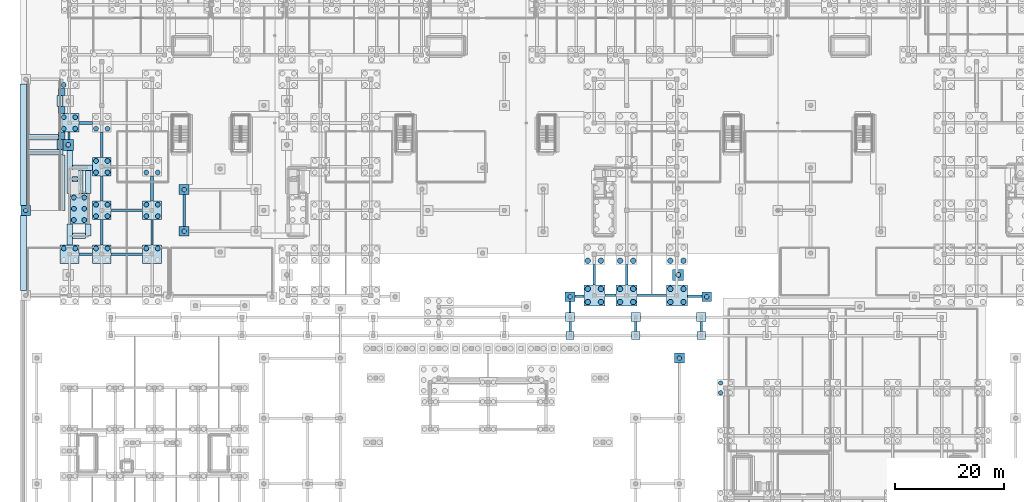
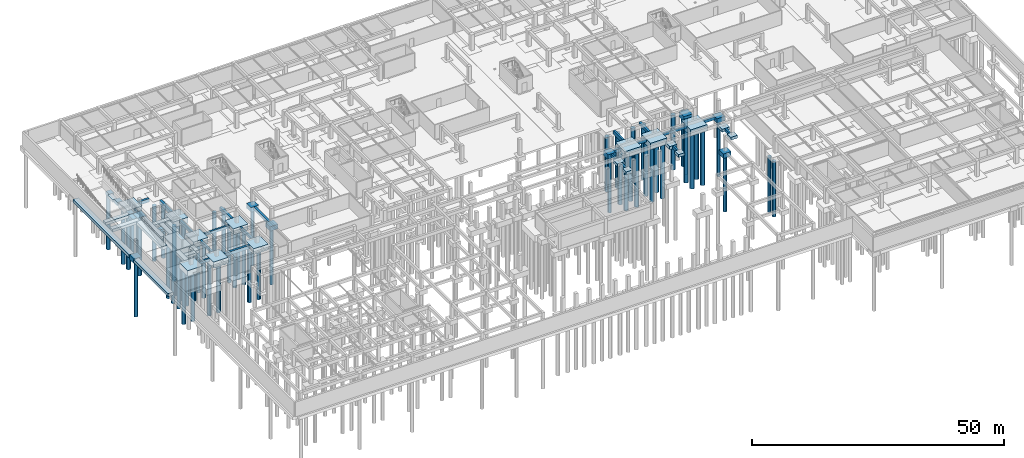
# One storey, part 4 of 35: 64 footings, 61 piles.
"""IFC4 building model written with IfcOpenShell, lengths in metres."""

from ifc_helpers import new_model, si_unit, direction, frame, origin, origin_2d, place, context, subcontext, project, spatial, rectangle, circle, extrude, material, material_profile, profile_set, type_object, element, save


model = new_model("IFC4")

# Units and contexts
model_context = context("Model", 3, precision=1e-05, world=origin(), true_north=direction((0.0, 1.0)))
body_context = subcontext(model_context, "Body", "Model", "MODEL_VIEW")
ifc_project = project(units=[si_unit("LENGTHUNIT", "METRE"), si_unit("AREAUNIT", "SQUARE_METRE"), si_unit("VOLUMEUNIT", "CUBIC_METRE"), si_unit("PLANEANGLEUNIT", "RADIAN"), si_unit("MASSUNIT", "GRAM", prefix="KILO")], contexts=[model_context])

# Site, building, storey
site_placement = place(None, origin())
site = spatial("IfcSite", under=ifc_project, at=site_placement, CompositionType="ELEMENT")
building_placement = place(site_placement, origin())
building = spatial("IfcBuilding", under=site, at=building_placement, Name="Keldmere Railside Commons", CompositionType="ELEMENT")
storey_placement = place(building_placement, frame((0.0, 0.0, -3.840087890625)))
storey = spatial("IfcBuildingStorey", under=building, at=storey_placement, Name="B1", CompositionType="ELEMENT", Elevation=-3.840087890625)

# Piles
ifc_material_1 = material(Name="Concrete H-30 (C30/37)", Category="concrete")
ifc_material_profile_1 = material_profile(ifc_material_1, circle(Radius=0.5, at=origin_2d()), Name="PILE-D1000")
ifc_profile_set_1 = profile_set([ifc_material_profile_1], Name="Concrete H-30 (C30/37)")
pile_type_1 = type_object("IfcPileType", Name="Bored Concrete Pile D1000", PredefinedType="BORED", material=ifc_profile_set_1)
for number, where, z_axis, x_axis, name in (
    (1, (103.25, 55.25, -1.39990234375), (0.0, 0.0, -1.0), (1.0, 0.0, 0.0), "BP-1000 PILE-0477"),
    (2, (105.64990234375, 55.25, -1.39990234375), (0.0, 0.0, -1.0), (1.0, 0.0, 0.0), "BP-1000 PILE-0478"),
    (3, (105.64990234375, 57.64990234375, -1.39990234375), (0.0, 0.0, -1.0), (1.0, 0.0, 0.0), "BP-1000 PILE-0479"),
    (4, (103.25, 57.64990234375, -1.39990234375), (0.0, 0.0, -1.0), (1.0, 0.0, 0.0), "BP-1000 PILE-0480"),
    (5, (103.25, 62.800048828125, -1.39990234375), (0.0, 0.0, -1.0), (1.0, 0.0, 0.0), "BP-1000 PILE-0481"),
    (6, (105.64990234375, 62.800048828125, -1.39990234375), (0.0, 0.0, -1.0), (1.0, 0.0, 0.0), "BP-1000 PILE-0482"),
    (7, (109.14990234375, 55.25, -1.39990234375), (0.0, 0.0, -1.0), (1.0, 0.0, 0.0), "BP-1000 PILE-0513"),
    (8, (111.550048828125, 55.25, -1.39990234375), (0.0, 0.0, -1.0), (1.0, 0.0, 0.0), "BP-1000 PILE-0514"),
    (9, (111.550048828125, 57.64990234375, -1.39990234375), (0.0, 0.0, -1.0), (1.0, 0.0, 0.0), "BP-1000 PILE-0515"),
    (10, (109.14990234375, 57.64990234375, -1.39990234375), (0.0, 0.0, -1.0), (1.0, 0.0, 0.0), "BP-1000 PILE-0516"),
    (11, (109.14990234375, 62.800048828125, -1.39990234375), (0.0, 0.0, -1.0), (1.0, 0.0, 0.0), "BP-1000 PILE-0517"),
    (12, (111.550048828125, 62.800048828125, -1.39990234375), (0.0, 0.0, -1.0), (1.0, 0.0, 0.0), "BP-1000 PILE-0518"),
    (13, (118.35009765625, 55.25, -1.39990234375), (0.0, 0.0, -1.0), (1.0, 0.0, 0.0), "BP-1000 PILE-0544"),
    (14, (120.75, 55.25, -1.39990234375), (0.0, 0.0, -1.0), (1.0, 0.0, 0.0), "BP-1000 PILE-0545"),
    (15, (120.75, 57.64990234375, -1.39990234375), (0.0, 0.0, -1.0), (1.0, 0.0, 0.0), "BP-1000 PILE-0546"),
    (16, (118.35009765625, 57.64990234375, -1.39990234375), (0.0, 0.0, -1.0), (1.0, 0.0, 0.0), "BP-1000 PILE-0547"),
    (17, (118.35009765625, 62.800048828125, -1.39990234375), (0.0, 0.0, -1.0), (1.0, 0.0, 0.0), "BP-1000 PILE-0548"),
    (18, (120.75, 62.800048828125, -1.39990234375), (0.0, 0.0, -1.0), (1.0, 0.0, 0.0), "BP-1000 PILE-0549"),
):
    element("IfcPile", number, at=place(storey_placement, frame(where, z_axis=z_axis, x_axis=x_axis)), inside=storey, type_object=pile_type_1, Name=name, PredefinedType="BORED", context=body_context, shape_type="SweptSolid", body=[
        extrude(circle(Radius=0.5, at=origin_2d()), origin(), (0.0, 0.0, 1.0), 13.260009765625),
    ])
ifc_material_profile_2 = material_profile(ifc_material_1, circle(Radius=0.39990234375, at=origin_2d()), Name="PILE-D800")
ifc_profile_set_2 = profile_set([ifc_material_profile_2], Name="Concrete H-30 (C30/37)")
pile_type_2 = type_object("IfcPileType", Name="Bored Concrete Pile D800", PredefinedType="BORED", material=ifc_profile_set_2)
for number, where, z_axis, x_axis, name in (
    (19, (0.449951171875, 72.0, -1.0), (0.0, 0.0, -1.0), (1.0, 0.0, 0.0), "BP-800 PILE-0030"),
    (20, (29.41796875, 68.199951171875, -1.0), (0.0, 0.0, -1.0), (1.0, 0.0, 0.0), "BP-800 PILE-0170"),
    (21, (29.41796875, 75.800048828125, -1.0), (0.0, 0.0, -1.0), (1.0, 0.0, 0.0), "BP-800 PILE-0171"),
    (22, (100.0, 56.199951171875, -1.0), (0.0, 0.0, -1.0), (1.0, 0.0, 0.0), "BP-800 PILE-0462"),
    (23, (120.0, 45.0, -1.0), (0.0, 0.0, -1.0), (1.0, 0.0, 0.0), "BP-800 PILE-0576"),
    (24, (125.0, 56.199951171875, -1.0), (0.0, 0.0, -1.0), (1.0, 0.0, 0.0), "BP-800 PILE-0589"),
):
    element("IfcPile", number, at=place(storey_placement, frame(where, z_axis=z_axis, x_axis=x_axis)), inside=storey, type_object=pile_type_2, Name=name, PredefinedType="BORED", context=body_context, shape_type="SweptSolid", body=[
        extrude(circle(Radius=0.39990234375, at=origin_2d()), origin(), (0.0, 0.0, 1.0), 13.659912109375),
    ])
for number, where, z_axis, x_axis, name in (
    (25, (127.550048828125, 38.64990234375, -1.199951171875), (0.0, 0.0, -1.0), (1.0, 0.0, 0.0), "BP-800 PILE-0603"),
    (26, (127.550048828125, 40.449951171875, -1.199951171875), (0.0, 0.0, -1.0), (1.0, 0.0, 0.0), "BP-800 PILE-0606"),
):
    element("IfcPile", number, at=place(storey_placement, frame(where, z_axis=z_axis, x_axis=x_axis)), inside=storey, type_object=pile_type_2, Name=name, PredefinedType="BORED", context=body_context, shape_type="SweptSolid", body=[
        extrude(circle(Radius=0.39990234375, at=origin_2d()), origin(), (0.0, 0.0, 1.0), 13.4599609375),
    ])
ifc_material_profile_3 = material_profile(ifc_material_1, circle(Radius=0.449951171875, at=origin_2d()), Name="PILE-D900")
ifc_profile_set_3 = profile_set([ifc_material_profile_3], Name="Concrete H-30 (C30/37)")
pile_type_3 = type_object("IfcPileType", Name="Bored Concrete Pile D900", PredefinedType="BORED", material=ifc_profile_set_3)
for number, where, z_axis, x_axis, name in (
    (27, (11.14990234375, 70.25, -1.39990234375), (0.0, 0.0, -1.0), (1.0, 0.0, 0.0), "BP-900 PILE-0001"),
    (28, (11.14990234375, 72.300048828125, -1.39990234375), (0.0, 0.0, -1.0), (1.0, 0.0, 0.0), "BP-900 PILE-0002"),
    (29, (11.14990234375, 74.35009765625, -1.39990234375), (0.0, 0.0, -1.0), (1.0, 0.0, 0.0), "BP-900 PILE-0003"),
    (30, (9.25, 70.25, -1.39990234375), (0.0, 0.0, -1.0), (1.0, 0.0, 0.0), "BP-900 PILE-0004"),
    (31, (9.25, 72.300048828125, -1.39990234375), (0.0, 0.0, -1.0), (1.0, 0.0, 0.0), "BP-900 PILE-0005"),
    (32, (9.25, 74.35009765625, -1.39990234375), (0.0, 0.0, -1.0), (1.0, 0.0, 0.0), "BP-900 PILE-0006"),
):
    element("IfcPile", number, at=place(storey_placement, frame(where, z_axis=z_axis, x_axis=x_axis)), inside=storey, type_object=pile_type_3, Name=name, PredefinedType="BORED", context=body_context, shape_type="SweptSolid", body=[
        extrude(circle(Radius=0.449951171875, at=origin_2d()), origin(), (0.0, 0.0, 1.0), 13.260009765625),
    ])
pile_1_placement = place(storey_placement, frame((8.219970703125, 84.0, -1.099853515625), z_axis=(0.0, 0.0, -1.0), x_axis=(1.0, 0.0, 0.0)))
element("IfcPile", 33, at=pile_1_placement, inside=storey, type_object=pile_type_3, Name="BP-900 PILE-0038", PredefinedType="BORED", context=body_context, shape_type="SweptSolid", body=[
    extrude(circle(Radius=0.449951171875, at=origin_2d()), origin(), (0.0, 0.0, 1.0), 13.56005859375),
])
for number, where, z_axis, x_axis, name in (
    (34, (9.5, 65.050048828125, -1.2998046875), (0.0, 0.0, -1.0), (1.0, 0.0, 0.0), "BP-900 PILE-0056"),
    (35, (7.39990234375, 65.050048828125, -1.2998046875), (0.0, 0.0, -1.0), (1.0, 0.0, 0.0), "BP-900 PILE-0057"),
    (36, (7.39990234375, 86.949951171875, -1.2998046875), (0.0, 0.0, -1.0), (1.0, 0.0, 0.0), "BP-900 PILE-0058"),
    (37, (9.5, 86.949951171875, -1.2998046875), (0.0, 0.0, -1.0), (1.0, 0.0, 0.0), "BP-900 PILE-0059"),
    (38, (9.5, 89.050048828125, -1.2998046875), (0.0, 0.0, -1.0), (1.0, 0.0, 0.0), "BP-900 PILE-0060"),
    (39, (7.39990234375, 89.050048828125, -1.2998046875), (0.0, 0.0, -1.0), (1.0, 0.0, 0.0), "BP-900 PILE-0061"),
    (40, (7.39990234375, 94.949951171875, -1.2998046875), (0.0, 0.0, -1.0), (1.0, 0.0, 0.0), "BP-900 PILE-0062"),
    (41, (15.39990234375, 65.050048828125, -1.2998046875), (0.0, 0.0, -1.0), (1.0, 0.0, 0.0), "BP-900 PILE-0084"),
    (42, (13.300048828125, 65.050048828125, -1.2998046875), (0.0, 0.0, -1.0), (1.0, 0.0, 0.0), "BP-900 PILE-0085"),
    (43, (13.300048828125, 70.949951171875, -1.2998046875), (0.0, 0.0, -1.0), (1.0, 0.0, 0.0), "BP-900 PILE-0086"),
    (44, (15.39990234375, 70.949951171875, -1.2998046875), (0.0, 0.0, -1.0), (1.0, 0.0, 0.0), "BP-900 PILE-0087"),
    (45, (15.39990234375, 73.050048828125, -1.2998046875), (0.0, 0.0, -1.0), (1.0, 0.0, 0.0), "BP-900 PILE-0088"),
    (46, (13.300048828125, 73.050048828125, -1.2998046875), (0.0, 0.0, -1.0), (1.0, 0.0, 0.0), "BP-900 PILE-0089"),
    (47, (13.300048828125, 78.949951171875, -1.2998046875), (0.0, 0.0, -1.0), (1.0, 0.0, 0.0), "BP-900 PILE-0090"),
    (48, (15.39990234375, 78.949951171875, -1.2998046875), (0.0, 0.0, -1.0), (1.0, 0.0, 0.0), "BP-900 PILE-0091"),
    (49, (15.39990234375, 81.050048828125, -1.2998046875), (0.0, 0.0, -1.0), (1.0, 0.0, 0.0), "BP-900 PILE-0092"),
    (50, (13.300048828125, 81.050048828125, -1.2998046875), (0.0, 0.0, -1.0), (1.0, 0.0, 0.0), "BP-900 PILE-0093"),
    (51, (13.300048828125, 86.949951171875, -1.2998046875), (0.0, 0.0, -1.0), (1.0, 0.0, 0.0), "BP-900 PILE-0094"),
    (52, (15.39990234375, 86.949951171875, -1.2998046875), (0.0, 0.0, -1.0), (1.0, 0.0, 0.0), "BP-900 PILE-0095"),
    (53, (24.60009765625, 65.050048828125, -1.2998046875), (0.0, 0.0, -1.0), (1.0, 0.0, 0.0), "BP-900 PILE-0128"),
    (54, (22.5, 65.050048828125, -1.2998046875), (0.0, 0.0, -1.0), (1.0, 0.0, 0.0), "BP-900 PILE-0129"),
    (55, (22.5, 70.949951171875, -1.2998046875), (0.0, 0.0, -1.0), (1.0, 0.0, 0.0), "BP-900 PILE-0130"),
    (56, (24.60009765625, 70.949951171875, -1.2998046875), (0.0, 0.0, -1.0), (1.0, 0.0, 0.0), "BP-900 PILE-0131"),
    (57, (24.60009765625, 73.050048828125, -1.2998046875), (0.0, 0.0, -1.0), (1.0, 0.0, 0.0), "BP-900 PILE-0132"),
    (58, (22.5, 73.050048828125, -1.2998046875), (0.0, 0.0, -1.0), (1.0, 0.0, 0.0), "BP-900 PILE-0133"),
    (59, (22.5, 78.949951171875, -1.2998046875), (0.0, 0.0, -1.0), (1.0, 0.0, 0.0), "BP-900 PILE-0134"),
    (60, (24.60009765625, 78.949951171875, -1.2998046875), (0.0, 0.0, -1.0), (1.0, 0.0, 0.0), "BP-900 PILE-0135"),
):
    element("IfcPile", number, at=place(storey_placement, frame(where, z_axis=z_axis, x_axis=x_axis)), inside=storey, type_object=pile_type_3, Name=name, PredefinedType="BORED", context=body_context, shape_type="SweptSolid", body=[
        extrude(circle(Radius=0.449951171875, at=origin_2d()), origin(), (0.0, 0.0, 1.0), 13.360107421875),
    ])
pile_2_placement = place(storey_placement, frame((119.780029296875, 60.199951171875, -1.099853515625), z_axis=(0.0, 0.0, -1.0), x_axis=(1.0, 0.0, 0.0)))
element("IfcPile", 61, at=pile_2_placement, inside=storey, type_object=pile_type_3, Name="BP-900 PILE-0568", PredefinedType="BORED", context=body_context, shape_type="SweptSolid", body=[
    extrude(circle(Radius=0.449951171875, at=origin_2d()), origin(), (0.0, 0.0, 1.0), 13.56005859375),
])

# Footings
ifc_material_2 = material(Name="Concrete H-40 (C40/50)", Category="concrete")
footing_type_1 = type_object("IfcFootingType", Name="Canopy Pad Footing 1700x1700x750", PredefinedType="PAD_FOOTING", material=ifc_material_2)
for number, where, z_axis, x_axis, name in (
    (62, (100.0, 52.5, -0.75), (0.0, 0.0, 1.0), (1.0, 0.0, 0.0), "PF-02 FTG-196"),
    (63, (112.0, 52.5, -0.75), (0.0, 0.0, 1.0), (1.0, 0.0, 0.0), "PF-02 FTG-222"),
    (64, (124.0, 52.5, -0.75), (0.0, 0.0, 1.0), (1.0, 0.0, 0.0), "PF-02 FTG-245"),
):
    element("IfcFooting", number, at=place(storey_placement, frame(where, z_axis=z_axis, x_axis=x_axis)), inside=storey, type_object=footing_type_1, Name=name, PredefinedType="PAD_FOOTING", context=body_context, shape_type="SweptSolid", body=[
        extrude(rectangle(XDim=1.699951171875, YDim=1.699951171875, at=origin_2d()), origin(), (0.0, 0.0, 1.0), 0.75),
    ])
footing_type_2 = type_object("IfcFootingType", Name="Colonnade Pad Footing 1500x1500x700", PredefinedType="PAD_FOOTING", material=ifc_material_2)
for number, where, z_axis, x_axis, name in (
    (65, (100.0, 49.10009765625, -0.69970703125), (0.0, 0.0, 1.0), (1.0, 0.0, 0.0), "PF-01 FTG-195"),
    (66, (112.0, 49.10009765625, -0.69970703125), (0.0, 0.0, 1.0), (1.0, 0.0, 0.0), "PF-01 FTG-221"),
    (67, (124.0, 49.10009765625, -0.69970703125), (0.0, 0.0, 1.0), (1.0, 0.0, 0.0), "PF-01 FTG-244"),
):
    element("IfcFooting", number, at=place(storey_placement, frame(where, z_axis=z_axis, x_axis=x_axis)), inside=storey, type_object=footing_type_2, Name=name, PredefinedType="PAD_FOOTING", context=body_context, shape_type="SweptSolid", body=[
        extrude(rectangle(XDim=1.5, YDim=1.5, at=origin_2d()), origin(), (0.0, 0.0, 1.0), 0.699951171875),
    ])
footing_type_3 = type_object("IfcFootingType", Name="Four-Pile D1000 Cap 3800x3800x1500", PredefinedType="PILE_CAP", material=ifc_material_2)
for number, where, z_axis, x_axis, name in (
    (68, (104.449951171875, 56.449951171875, -1.5), (0.0, 0.0, 1.0), (1.0, 0.0, 0.0), "PC-06 FTG-203"),
    (69, (110.35009765625, 56.449951171875, -1.5), (0.0, 0.0, 1.0), (1.0, 0.0, 0.0), "PC-06 FTG-214"),
    (70, (119.550048828125, 56.449951171875, -1.5), (0.0, 0.0, 1.0), (1.0, 0.0, 0.0), "PC-06 FTG-226"),
):
    element("IfcFooting", number, at=place(storey_placement, frame(where, z_axis=z_axis, x_axis=x_axis)), inside=storey, type_object=footing_type_3, Name=name, PredefinedType="PILE_CAP", context=body_context, shape_type="SweptSolid", body=[
        extrude(rectangle(XDim=3.800048828125, YDim=3.800048828125, at=origin_2d()), origin(), (0.0, 0.0, 1.0), 1.5),
    ])
footing_type_4 = type_object("IfcFootingType", Name="Four-Pile Heavy Cap 3400x3400x1400", PredefinedType="PILE_CAP", material=ifc_material_2)
for number, where, z_axis, x_axis, name in (
    (71, (8.449951171875, 64.0, -1.39990234375), (0.0, 0.0, 1.0), (1.0, 0.0, 0.0), "PC-05 FTG-022"),
    (72, (8.449951171875, 88.0, -1.39990234375), (0.0, 0.0, 1.0), (1.0, 0.0, 0.0), "PC-05 FTG-023"),
    (73, (14.35009765625, 64.0, -1.39990234375), (0.0, 0.0, 1.0), (1.0, 0.0, 0.0), "PC-05 FTG-029"),
    (74, (14.35009765625, 72.0, -1.39990234375), (0.0, 0.0, 1.0), (1.0, 0.0, 0.0), "PC-05 FTG-030"),
    (75, (14.35009765625, 80.0, -1.39990234375), (0.0, 0.0, 1.0), (1.0, 0.0, 0.0), "PC-05 FTG-031"),
    (76, (23.550048828125, 64.0, -1.39990234375), (0.0, 0.0, 1.0), (1.0, 0.0, 0.0), "PC-05 FTG-045"),
    (77, (23.550048828125, 72.0, -1.39990234375), (0.0, 0.0, 1.0), (1.0, 0.0, 0.0), "PC-05 FTG-046"),
):
    element("IfcFooting", number, at=place(storey_placement, frame(where, z_axis=z_axis, x_axis=x_axis)), inside=storey, type_object=footing_type_4, Name=name, PredefinedType="PILE_CAP", context=body_context, shape_type="SweptSolid", body=[
        extrude(rectangle(XDim=3.39990234375, YDim=3.39990234375, at=origin_2d()), origin(), (0.0, 0.0, 1.0), 1.39990234375),
    ])
footing_type_5 = type_object("IfcFootingType", Name="Perimeter Ground Tie Beam 400x650", PredefinedType="FOOTING_BEAM", material=ifc_material_2)
footing_1_placement = place(storey_placement, frame((8.3349609375, 85.64990234375, -0.64990234375), z_axis=(0.0, 0.0, 1.0), x_axis=(0.0, 1.0, 0.0)))
element("IfcFooting", 78, at=footing_1_placement, inside=storey, type_object=footing_type_5, Name="GB-03 GB-005", PredefinedType="FOOTING_BEAM", context=body_context, shape_type="SweptSolid", body=[
    extrude(rectangle(XDim=1.300048828125, YDim=0.39990234375, at=origin_2d()), origin(), (0.0, 0.0, 1.0), 0.64990234375),
])
footing_2_placement = place(storey_placement, frame((11.39990234375, 64.0, -0.64990234375), z_axis=(0.0, 0.0, 1.0), x_axis=(1.0, 0.0, 0.0)))
element("IfcFooting", 79, at=footing_2_placement, inside=storey, type_object=footing_type_5, Name="GB-03 GB-017", PredefinedType="FOOTING_BEAM", context=body_context, shape_type="SweptSolid", body=[
    extrude(rectangle(XDim=2.5, YDim=0.39990234375, at=origin_2d()), origin(), (0.0, 0.0, 1.0), 0.64990234375),
])
footing_3_placement = place(storey_placement, frame((14.35009765625, 68.0, -0.64990234375), z_axis=(0.0, 0.0, 1.0), x_axis=(0.0, 1.0, 0.0)))
element("IfcFooting", 80, at=footing_3_placement, inside=storey, type_object=footing_type_5, Name="GB-03 GB-026", PredefinedType="FOOTING_BEAM", context=body_context, shape_type="SweptSolid", body=[
    extrude(rectangle(XDim=4.60009765625, YDim=0.39990234375, at=origin_2d()), origin(), (0.0, 0.0, 1.0), 0.64990234375),
])
footing_4_placement = place(storey_placement, frame((18.949951171875, 72.0, -0.64990234375), z_axis=(0.0, 0.0, 1.0), x_axis=(1.0, 0.0, 0.0)))
element("IfcFooting", 81, at=footing_4_placement, inside=storey, type_object=footing_type_5, Name="GB-03 GB-029", PredefinedType="FOOTING_BEAM", context=body_context, shape_type="SweptSolid", body=[
    extrude(rectangle(XDim=5.800048828125, YDim=0.39990234375, at=origin_2d()), origin(), (0.0, 0.0, 1.0), 0.64990234375),
])
footing_5_placement = place(storey_placement, frame((23.550048828125, 68.0, -0.64990234375), z_axis=(0.0, 0.0, 1.0), x_axis=(0.0, 1.0, 0.0)))
element("IfcFooting", 82, at=footing_5_placement, inside=storey, type_object=footing_type_5, Name="GB-03 GB-047", PredefinedType="FOOTING_BEAM", context=body_context, shape_type="SweptSolid", body=[
    extrude(rectangle(XDim=4.60009765625, YDim=0.39990234375, at=origin_2d()), origin(), (0.0, 0.0, 1.0), 0.64990234375),
])
footing_6_placement = place(storey_placement, frame((100.0, 54.324951171875, -0.64990234375), z_axis=(0.0, 0.0, 1.0), x_axis=(0.0, 1.0, 0.0)))
element("IfcFooting", 83, at=footing_6_placement, inside=storey, type_object=footing_type_5, Name="GB-03 GB-158", PredefinedType="FOOTING_BEAM", context=body_context, shape_type="SweptSolid", body=[
    extrude(rectangle(XDim=1.949951171875, YDim=0.39990234375, at=origin_2d()), origin(), (0.0, 0.0, 1.0), 0.64990234375),
])
footing_7_placement = place(storey_placement, frame((114.949951171875, 56.449951171875, -0.64990234375), z_axis=(0.0, 0.0, 1.0), x_axis=(1.0, 0.0, 0.0)))
element("IfcFooting", 84, at=footing_7_placement, inside=storey, type_object=footing_type_5, Name="GB-03 GB-176", PredefinedType="FOOTING_BEAM", context=body_context, shape_type="SweptSolid", body=[
    extrude(rectangle(XDim=5.39990234375, YDim=0.39990234375, at=origin_2d()), origin(), (0.0, 0.0, 1.0), 0.64990234375),
])
footing_type_6 = type_object("IfcFootingType", Name="Primary Ground Tie Beam 500x800", PredefinedType="FOOTING_BEAM", material=ifc_material_2)
footing_8_placement = place(storey_placement, frame((11.39990234375, 88.0, -0.7998046875), z_axis=(0.0, 0.0, 1.0), x_axis=(1.0, 0.0, 0.0)))
element("IfcFooting", 85, at=footing_8_placement, inside=storey, type_object=footing_type_6, Name="GB-01 GB-018", PredefinedType="FOOTING_BEAM", context=body_context, shape_type="SweptSolid", body=[
    extrude(rectangle(XDim=2.5, YDim=0.5, at=origin_2d()), origin(), (0.0, 0.0, 1.0), 0.800048828125),
])
footing_9_placement = place(storey_placement, frame((18.949951171875, 64.0, -0.7998046875), z_axis=(0.0, 0.0, 1.0), x_axis=(1.0, 0.0, 0.0)))
element("IfcFooting", 86, at=footing_9_placement, inside=storey, type_object=footing_type_6, Name="GB-01 GB-027", PredefinedType="FOOTING_BEAM", context=body_context, shape_type="SweptSolid", body=[
    extrude(rectangle(XDim=5.800048828125, YDim=0.5, at=origin_2d()), origin(), (0.0, 0.0, 1.0), 0.800048828125),
])
for number, where, z_axis, x_axis, name in (
    (87, (14.35009765625, 84.0, -0.7998046875), (0.0, 0.0, 1.0), (0.0, 1.0, 0.0), "GB-01 GB-030"),
    (88, (23.550048828125, 76.0, -0.7998046875), (0.0, 0.0, 1.0), (0.0, 1.0, 0.0), "GB-01 GB-048"),
):
    element("IfcFooting", number, at=place(storey_placement, frame(where, z_axis=z_axis, x_axis=x_axis)), inside=storey, type_object=footing_type_6, Name=name, PredefinedType="FOOTING_BEAM", context=body_context, shape_type="SweptSolid", body=[
        extrude(rectangle(XDim=4.60009765625, YDim=0.5, at=origin_2d()), origin(), (0.0, 0.0, 1.0), 0.800048828125),
    ])
footing_10_placement = place(storey_placement, frame((29.41796875, 72.0, -0.7998046875), z_axis=(0.0, 0.0, 1.0), x_axis=(0.0, 1.0, 0.0)))
element("IfcFooting", 89, at=footing_10_placement, inside=storey, type_object=footing_type_6, Name="GB-01 GB-063", PredefinedType="FOOTING_BEAM", context=body_context, shape_type="SweptSolid", body=[
    extrude(rectangle(XDim=5.800048828125, YDim=0.5, at=origin_2d()), origin(), (0.0, 0.0, 1.0), 0.800048828125),
])
footing_11_placement = place(storey_placement, frame((101.72509765625, 56.324951171875, -0.7998046875), z_axis=(0.0, 0.0, 1.0), x_axis=(1.0, 0.0, 0.0)))
element("IfcFooting", 90, at=footing_11_placement, inside=storey, type_object=footing_type_6, Name="GB-01 GB-159", PredefinedType="FOOTING_BEAM", context=body_context, shape_type="SweptSolid", body=[
    extrude(rectangle(XDim=1.64990234375, YDim=0.5, at=origin_2d()), origin(), (0.0, 0.0, 1.0), 0.800048828125),
])
footing_12_placement = place(storey_placement, frame((104.449951171875, 60.22509765625, -0.7998046875), z_axis=(0.0, 0.0, 1.0), x_axis=(0.0, 1.0, 0.0)))
element("IfcFooting", 91, at=footing_12_placement, inside=storey, type_object=footing_type_6, Name="GB-01 GB-165", PredefinedType="FOOTING_BEAM", context=body_context, shape_type="SweptSolid", body=[
    extrude(rectangle(XDim=3.75, YDim=0.5, at=origin_2d()), origin(), (0.0, 0.0, 1.0), 0.800048828125),
])
footing_type_7 = type_object("IfcFootingType", Name="Ramp Wall Strip Footing 1000x650", PredefinedType="STRIP_FOOTING", material=ifc_material_2)
footing_13_placement = place(storey_placement, frame((11.8701171875, 68.425048828125, -0.64990234375), z_axis=(0.0, 0.0, 1.0), x_axis=(0.0, 1.0, 0.0)))
element("IfcFooting", 92, at=footing_13_placement, inside=storey, type_object=footing_type_7, Name="SF-02 WSF-056", PredefinedType="STRIP_FOOTING", context=body_context, shape_type="SweptSolid", body=[
    extrude(rectangle(XDim=2.14990234375, YDim=1.0, at=origin_2d()), origin(), (0.0, 0.0, 1.0), 0.64990234375),
])
footing_14_placement = place(storey_placement, frame((11.8701171875, 77.199951171875, -0.64990234375), z_axis=(0.0, 0.0, 1.0), x_axis=(0.0, 1.0, 0.0)))
element("IfcFooting", 93, at=footing_14_placement, inside=storey, type_object=footing_type_7, Name="SF-02 WSF-057", PredefinedType="STRIP_FOOTING", context=body_context, shape_type="SweptSolid", body=[
    extrude(rectangle(XDim=4.199951171875, YDim=1.0, at=origin_2d()), origin(), (0.0, 0.0, 1.0), 0.64990234375),
])
footing_15_placement = place(storey_placement, frame((9.4599609375, 77.75, -0.64990234375), z_axis=(0.0, 0.0, 1.0), x_axis=(1.0, 0.0, 0.0)))
element("IfcFooting", 94, at=footing_15_placement, inside=storey, type_object=footing_type_7, Name="SF-02 WSF-058", PredefinedType="STRIP_FOOTING", context=body_context, shape_type="SweptSolid", body=[
    extrude(rectangle(XDim=1.0, YDim=1.0, at=origin_2d()), origin(), (0.0, 0.0, 1.0), 0.64990234375),
])
footing_16_placement = place(storey_placement, frame((10.804931640625, 79.800048828125, -0.64990234375), z_axis=(0.0, 0.0, 1.0), x_axis=(1.0, 0.0, 0.0)))
element("IfcFooting", 95, at=footing_16_placement, inside=storey, type_object=footing_type_7, Name="SF-02 WSF-059", PredefinedType="STRIP_FOOTING", context=body_context, shape_type="SweptSolid", body=[
    extrude(rectangle(XDim=3.68994140625, YDim=1.0, at=origin_2d()), origin(), (0.0, 0.0, 1.0), 0.64990234375),
])
footing_17_placement = place(storey_placement, frame((10.1650390625, 67.35009765625, -0.64990234375), z_axis=(0.0, 0.0, 1.0), x_axis=(1.0, 0.0, 0.0)))
element("IfcFooting", 96, at=footing_17_placement, inside=storey, type_object=footing_type_7, Name="SF-02 WSF-060", PredefinedType="STRIP_FOOTING", context=body_context, shape_type="SweptSolid", body=[
    extrude(rectangle(XDim=2.409912109375, YDim=1.0, at=origin_2d()), origin(), (0.0, 0.0, 1.0), 0.64990234375),
])
footing_18_placement = place(storey_placement, frame((8.4599609375, 67.60009765625, -0.64990234375), z_axis=(0.0, 0.0, 1.0), x_axis=(0.0, 1.0, 0.0)))
element("IfcFooting", 97, at=footing_18_placement, inside=storey, type_object=footing_type_7, Name="SF-02 WSF-061", PredefinedType="STRIP_FOOTING", context=body_context, shape_type="SweptSolid", body=[
    extrude(rectangle(XDim=3.800048828125, YDim=1.0, at=origin_2d()), origin(), (0.0, 0.0, 1.0), 0.64990234375),
])
footing_19_placement = place(storey_placement, frame((8.4599609375, 79.050048828125, -0.64990234375), z_axis=(0.0, 0.0, 1.0), x_axis=(0.0, 1.0, 0.0)))
element("IfcFooting", 98, at=footing_19_placement, inside=storey, type_object=footing_type_7, Name="SF-02 WSF-062", PredefinedType="STRIP_FOOTING", context=body_context, shape_type="SweptSolid", body=[
    extrude(rectangle(XDim=7.89990234375, YDim=1.0, at=origin_2d()), origin(), (0.0, 0.0, 1.0), 0.64990234375),
])
footing_20_placement = place(storey_placement, frame((10.4599609375, 77.199951171875, -0.64990234375), z_axis=(0.0, 0.0, 1.0), x_axis=(0.0, 1.0, 0.0)))
element("IfcFooting", 99, at=footing_20_placement, inside=storey, type_object=footing_type_7, Name="SF-02 WSF-066", PredefinedType="STRIP_FOOTING", context=body_context, shape_type="SweptSolid", body=[
    extrude(rectangle(XDim=4.199951171875, YDim=1.0, at=origin_2d()), origin(), (0.0, 0.0, 1.0), 0.64990234375),
])
footing_21_placement = place(storey_placement, frame((6.64990234375, 84.074951171875, -0.64990234375), z_axis=(0.0, 0.0, 1.0), x_axis=(0.0, 1.0, 0.0)))
element("IfcFooting", 100, at=footing_21_placement, inside=storey, type_object=footing_type_7, Name="SF-02 WSF-115", PredefinedType="STRIP_FOOTING", context=body_context, shape_type="SweptSolid", body=[
    extrude(rectangle(XDim=1.85009765625, YDim=1.0, at=origin_2d()), origin(), (0.0, 0.0, 1.0), 0.64990234375),
])
footing_22_placement = place(storey_placement, frame((6.64990234375, 92.0, -0.64990234375), z_axis=(0.0, 0.0, 1.0), x_axis=(0.0, 1.0, 0.0)))
element("IfcFooting", 101, at=footing_22_placement, inside=storey, type_object=footing_type_7, Name="SF-02 WSF-116", PredefinedType="STRIP_FOOTING", context=body_context, shape_type="SweptSolid", body=[
    extrude(rectangle(XDim=2.0, YDim=1.0, at=origin_2d()), origin(), (0.0, 0.0, 1.0), 0.64990234375),
])
footing_23_placement = place(storey_placement, frame((4.0849609375, 82.64990234375, -0.64990234375), z_axis=(0.0, 0.0, 1.0), x_axis=(1.0, 0.0, 0.0)))
element("IfcFooting", 102, at=footing_23_placement, inside=storey, type_object=footing_type_7, Name="SF-02 WSF-117", PredefinedType="STRIP_FOOTING", context=body_context, shape_type="SweptSolid", body=[
    extrude(rectangle(XDim=6.27001953125, YDim=1.0, at=origin_2d()), origin(), (0.0, 0.0, 1.0), 0.64990234375),
])
footing_24_placement = place(storey_placement, frame((3.6875, 85.35009765625, -0.64990234375), z_axis=(0.0, 0.0, 1.0), x_axis=(1.0, 0.0, 0.0)))
element("IfcFooting", 103, at=footing_24_placement, inside=storey, type_object=footing_type_7, Name="SF-02 WSF-118", PredefinedType="STRIP_FOOTING", context=body_context, shape_type="SweptSolid", body=[
    extrude(rectangle(XDim=5.47509765625, YDim=1.0, at=origin_2d()), origin(), (0.0, 0.0, 1.0), 0.64990234375),
])
footing_type_8 = type_object("IfcFootingType", Name="Retaining Wall Strip Footing 1200x750", PredefinedType="STRIP_FOOTING", material=ifc_material_2)
footing_25_placement = place(storey_placement, frame((0.0, 64.22509765625, -0.75), z_axis=(0.0, 0.0, 1.0), x_axis=(0.0, 1.0, 0.0)))
element("IfcFooting", 104, at=footing_25_placement, inside=storey, type_object=footing_type_8, Name="SF-01 WSF-002", PredefinedType="STRIP_FOOTING", context=body_context, shape_type="SweptSolid", body=[
    extrude(rectangle(XDim=13.75, YDim=1.199951171875, at=origin_2d()), origin(), (0.0, 0.0, 1.0), 0.75),
])
footing_26_placement = place(storey_placement, frame((0.0, 84.0, -0.75), z_axis=(0.0, 0.0, 1.0), x_axis=(0.0, 1.0, 0.0)))
element("IfcFooting", 105, at=footing_26_placement, inside=storey, type_object=footing_type_8, Name="SF-01 WSF-003", PredefinedType="STRIP_FOOTING", context=body_context, shape_type="SweptSolid", body=[
    extrude(rectangle(XDim=22.199951171875, YDim=1.199951171875, at=origin_2d()), origin(), (0.0, 0.0, 1.0), 0.75),
])
footing_27_placement = place(storey_placement, frame((7.02490234375, 77.074951171875, -0.75), z_axis=(0.0, 0.0, 1.0), x_axis=(0.0, 1.0, 0.0)))
element("IfcFooting", 106, at=footing_27_placement, inside=storey, type_object=footing_type_8, Name="SF-01 WSF-022", PredefinedType="STRIP_FOOTING", context=body_context, shape_type="SweptSolid", body=[
    extrude(rectangle(XDim=10.14990234375, YDim=1.199951171875, at=origin_2d()), origin(), (0.0, 0.0, 1.0), 0.75),
])
for number, where, z_axis, x_axis, name in (
    (107, (7.02490234375, 85.64990234375, -0.75), (0.0, 0.0, 1.0), (0.0, 1.0, 0.0), "SF-01 WSF-023"),
    (108, (7.02490234375, 90.35009765625, -0.75), (0.0, 0.0, 1.0), (0.0, 1.0, 0.0), "SF-01 WSF-024"),
    (109, (7.02490234375, 93.64990234375, -0.75), (0.0, 0.0, 1.0), (0.0, 1.0, 0.0), "SF-01 WSF-025"),
):
    element("IfcFooting", number, at=place(storey_placement, frame(where, z_axis=z_axis, x_axis=x_axis)), inside=storey, type_object=footing_type_8, Name=name, PredefinedType="STRIP_FOOTING", context=body_context, shape_type="SweptSolid", body=[
        extrude(rectangle(XDim=1.300048828125, YDim=1.199951171875, at=origin_2d()), origin(), (0.0, 0.0, 1.0), 0.75),
    ])
footing_type_9 = type_object("IfcFootingType", Name="Secondary Ground Tie Beam 450x700", PredefinedType="FOOTING_BEAM", material=ifc_material_2)
footing_28_placement = place(storey_placement, frame((14.35009765625, 76.0, -0.69970703125), z_axis=(0.0, 0.0, 1.0), x_axis=(0.0, 1.0, 0.0)))
element("IfcFooting", 110, at=footing_28_placement, inside=storey, type_object=footing_type_9, Name="GB-02 GB-028", PredefinedType="FOOTING_BEAM", context=body_context, shape_type="SweptSolid", body=[
    extrude(rectangle(XDim=4.60009765625, YDim=0.449951171875, at=origin_2d()), origin(), (0.0, 0.0, 1.0), 0.699951171875),
])
footing_29_placement = place(storey_placement, frame((100.0, 50.75, -0.69970703125), z_axis=(0.0, 0.0, 1.0), x_axis=(0.0, 1.0, 0.0)))
element("IfcFooting", 111, at=footing_29_placement, inside=storey, type_object=footing_type_9, Name="GB-02 GB-157", PredefinedType="FOOTING_BEAM", context=body_context, shape_type="SweptSolid", body=[
    extrude(rectangle(XDim=1.800048828125, YDim=0.449951171875, at=origin_2d()), origin(), (0.0, 0.0, 1.0), 0.699951171875),
])
footing_30_placement = place(storey_placement, frame((107.39990234375, 56.449951171875, -0.69970703125), z_axis=(0.0, 0.0, 1.0), x_axis=(1.0, 0.0, 0.0)))
element("IfcFooting", 112, at=footing_30_placement, inside=storey, type_object=footing_type_9, Name="GB-02 GB-166", PredefinedType="FOOTING_BEAM", context=body_context, shape_type="SweptSolid", body=[
    extrude(rectangle(XDim=2.10009765625, YDim=0.449951171875, at=origin_2d()), origin(), (0.0, 0.0, 1.0), 0.699951171875),
])
footing_31_placement = place(storey_placement, frame((110.35009765625, 60.22509765625, -0.69970703125), z_axis=(0.0, 0.0, 1.0), x_axis=(0.0, 1.0, 0.0)))
element("IfcFooting", 113, at=footing_31_placement, inside=storey, type_object=footing_type_9, Name="GB-02 GB-175", PredefinedType="FOOTING_BEAM", context=body_context, shape_type="SweptSolid", body=[
    extrude(rectangle(XDim=3.75, YDim=0.449951171875, at=origin_2d()), origin(), (0.0, 0.0, 1.0), 0.699951171875),
])
footing_32_placement = place(storey_placement, frame((112.0, 50.75, -0.69970703125), z_axis=(0.0, 0.0, 1.0), x_axis=(0.0, 1.0, 0.0)))
element("IfcFooting", 114, at=footing_32_placement, inside=storey, type_object=footing_type_9, Name="GB-02 GB-184", PredefinedType="FOOTING_BEAM", context=body_context, shape_type="SweptSolid", body=[
    extrude(rectangle(XDim=1.800048828125, YDim=0.449951171875, at=origin_2d()), origin(), (0.0, 0.0, 1.0), 0.699951171875),
])
footing_33_placement = place(storey_placement, frame((122.77490234375, 56.324951171875, -0.69970703125), z_axis=(0.0, 0.0, 1.0), x_axis=(1.0, 0.0, 0.0)))
element("IfcFooting", 115, at=footing_33_placement, inside=storey, type_object=footing_type_9, Name="GB-02 GB-190", PredefinedType="FOOTING_BEAM", context=body_context, shape_type="SweptSolid", body=[
    extrude(rectangle(XDim=2.64990234375, YDim=0.449951171875, at=origin_2d()), origin(), (0.0, 0.0, 1.0), 0.699951171875),
])
footing_34_placement = place(storey_placement, frame((124.0, 50.75, -0.69970703125), z_axis=(0.0, 0.0, 1.0), x_axis=(0.0, 1.0, 0.0)))
element("IfcFooting", 116, at=footing_34_placement, inside=storey, type_object=footing_type_9, Name="GB-02 GB-196", PredefinedType="FOOTING_BEAM", context=body_context, shape_type="SweptSolid", body=[
    extrude(rectangle(XDim=1.800048828125, YDim=0.449951171875, at=origin_2d()), origin(), (0.0, 0.0, 1.0), 0.699951171875),
])
footing_type_10 = type_object("IfcFootingType", Name="Single-Pile Cap 1800x1800x1100", PredefinedType="PILE_CAP", material=ifc_material_2)
for number, where, z_axis, x_axis, name in (
    (117, (0.449951171875, 72.0, -1.099853515625), (0.0, 0.0, 1.0), (1.0, 0.0, 0.0), "PC-01 FTG-006"),
    (118, (29.41796875, 68.199951171875, -1.099853515625), (0.0, 0.0, 1.0), (1.0, 0.0, 0.0), "PC-01 FTG-062"),
    (119, (29.41796875, 75.800048828125, -1.099853515625), (0.0, 0.0, 1.0), (1.0, 0.0, 0.0), "PC-01 FTG-063"),
    (120, (100.0, 56.199951171875, -1.099853515625), (0.0, 0.0, 1.0), (1.0, 0.0, 0.0), "PC-01 FTG-197"),
    (121, (120.0, 45.0, -1.099853515625), (0.0, 0.0, 1.0), (1.0, 0.0, 0.0), "PC-01 FTG-240"),
    (122, (125.0, 56.199951171875, -1.099853515625), (0.0, 0.0, 1.0), (1.0, 0.0, 0.0), "PC-01 FTG-246"),
):
    element("IfcFooting", number, at=place(storey_placement, frame(where, z_axis=z_axis, x_axis=x_axis)), inside=storey, type_object=footing_type_10, Name=name, PredefinedType="PILE_CAP", context=body_context, shape_type="SweptSolid", body=[
        extrude(rectangle(XDim=1.800048828125, YDim=1.800048828125, at=origin_2d()), origin(), (0.0, 0.0, 1.0), 1.10009765625),
    ])
footing_type_11 = type_object("IfcFootingType", Name="Single-Pile Cap 2000x2000x1200", PredefinedType="PILE_CAP", material=ifc_material_2)
for number, where, z_axis, x_axis, name in (
    (123, (8.219970703125, 84.0, -1.19970703125), (0.0, 0.0, 1.0), (1.0, 0.0, 0.0), "PC-02 FTG-014"),
    (124, (119.780029296875, 60.199951171875, -1.19970703125), (0.0, 0.0, 1.0), (1.0, 0.0, 0.0), "PC-02 FTG-232"),
):
    element("IfcFooting", number, at=place(storey_placement, frame(where, z_axis=z_axis, x_axis=x_axis)), inside=storey, type_object=footing_type_11, Name=name, PredefinedType="PILE_CAP", context=body_context, shape_type="SweptSolid", body=[
        extrude(rectangle(XDim=2.0, YDim=2.0, at=origin_2d()), origin(), (0.0, 0.0, 1.0), 1.199951171875),
    ])
footing_type_12 = type_object("IfcFootingType", Name="Six-Pile Shear-Wall Cap 5600x3200x1500", PredefinedType="PILE_CAP", material=ifc_material_2)
footing_35_placement = place(storey_placement, frame((10.199951171875, 72.300048828125, -1.5), z_axis=(0.0, 0.0, 1.0), x_axis=(0.0, 1.0, 0.0)))
element("IfcFooting", 125, at=footing_35_placement, inside=storey, type_object=footing_type_12, Name="PC-12 CAP-CORE-D1", PredefinedType="PILE_CAP", context=body_context, shape_type="SweptSolid", body=[
    extrude(rectangle(XDim=5.60009765625, YDim=3.199951171875, at=origin_2d()), origin(), (0.0, 0.0, 1.0), 1.5),
])

save(model, "model.ifc")
